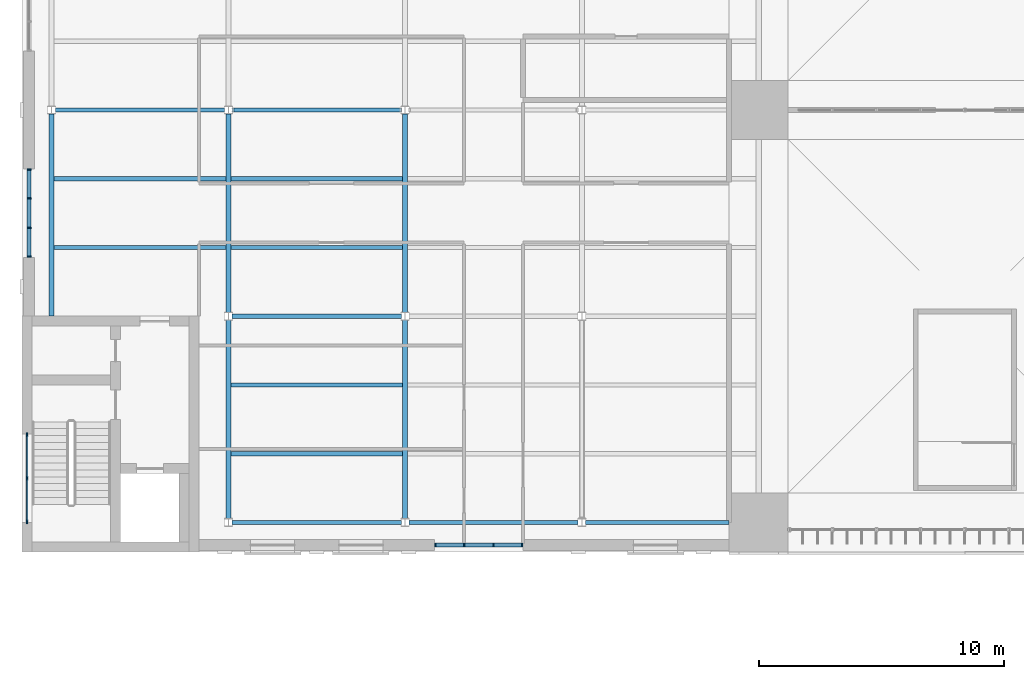
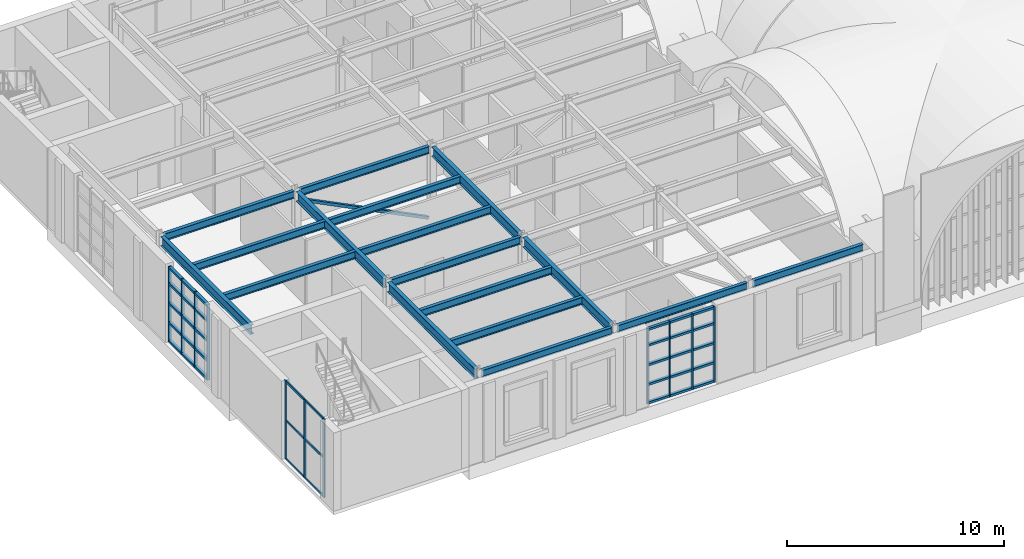
# One storey, part 20 of 169: 48 members, 17 beams, 3 elements without a shape of their own.
"""IFC4 building model written with IfcOpenShell, lengths in metres."""

import ifcopenshell
import ifcopenshell.guid

model = None  # the IFC model being written
_history = None  # IfcOwnerHistory: only IFC2X3 demands one
_inside = {}  # id of a spatial element -> (the spatial element, [elements in it])
_under = {}  # id of a project, library or spatial element -> (it, [spatial elements below it])
_declared = {}  # id of a project -> (the project, [libraries it declares])
_typed = {}  # id of a type object -> (the type object, [elements of that type])
_made_of = {}  # id of a material, layer set ... -> (it, [elements and type objects made of it])


def new_model(schema):
    """Start an empty IFC model of exactly this schema.

    Asked for "IFC4X3", IfcOpenShell would pick the latest addendum, in which some entities
    have other attributes; the version numbers below select the first issue.
    IFC2X3 requires an IfcOwnerHistory on every rooted entity: one is made here for all.
    """
    global model, _history
    if schema == "IFC4X3":
        model = ifcopenshell.file(schema_version=(4, 3, 0, 0))
    else:
        model = ifcopenshell.file(schema=schema)
    _inside.clear()
    _under.clear()
    _declared.clear()
    _typed.clear()
    _made_of.clear()
    _history = None
    if model.schema == "IFC2X3":
        org = make("IfcOrganization", Name="unknown")
        user = make(
            "IfcPersonAndOrganization",
            ThePerson=make("IfcPerson", FamilyName="unknown"),
            TheOrganization=org,
        )
        app = make(
            "IfcApplication",
            ApplicationDeveloper=org,
            Version="unknown",
            ApplicationFullName="unknown",
            ApplicationIdentifier="unknown",
        )
        _history = make(
            "IfcOwnerHistory",
            OwningUser=user,
            OwningApplication=app,
            ChangeAction="ADDED",
            CreationDate=0,
        )
    return model


def make(cls, **values):
    """One entity of the class cls with the attributes given. An attribute that is None is left unset."""
    return model.create_entity(
        cls, **{name: value for name, value in values.items() if value is not None}
    )


def rooted(cls, **values):
    """An entity with a GlobalId (a new one), such as an element, a storey or a relation."""
    return make(cls, GlobalId=ifcopenshell.guid.new(), OwnerHistory=_history, **values)


def si_unit(unit_type, name, prefix=None):
    """IfcSIUnit, for example si_unit("LENGTHUNIT", "METRE", prefix="MILLI")."""
    return make("IfcSIUnit", UnitType=unit_type, Prefix=prefix, Name=name)


def assignment(units):
    """IfcUnitAssignment: the units of a project."""
    return None if units is None else make("IfcUnitAssignment", Units=units)


def point(xyz):
    """IfcCartesianPoint."""
    return None if xyz is None else make("IfcCartesianPoint", Coordinates=xyz)


def direction(xyz):
    """IfcDirection."""
    return None if xyz is None else make("IfcDirection", DirectionRatios=xyz)


def frame(location, z_axis=None, x_axis=None):
    """IfcAxis2Placement3D, a coordinate frame: its origin and axes. An axis left out is left unset."""
    return make(
        "IfcAxis2Placement3D",
        Location=point(location),
        Axis=direction(z_axis),
        RefDirection=direction(x_axis),
    )


def frame_2d(location, x_axis=None):
    """IfcAxis2Placement2D, a coordinate frame in the plane: its origin and x axis."""
    return make(
        "IfcAxis2Placement2D", Location=point(location), RefDirection=direction(x_axis)
    )


def origin():
    """The frame at (0, 0, 0) with its axes left unset."""
    return frame((0.0, 0.0, 0.0))


def origin_2d():
    """The frame at (0, 0) in the plane with its x axis left unset."""
    return frame_2d((0.0, 0.0))


def place(relative_to, where):
    """IfcLocalPlacement: puts the frame where relative to a parent placement (None: the world)."""
    return make(
        "IfcLocalPlacement", PlacementRelTo=relative_to, RelativePlacement=where
    )


def context(
    kind, dimensions, precision=None, world=None, true_north=None, identifier=None
):
    """IfcGeometricRepresentationContext, for example the 3D "Model" context."""
    return make(
        "IfcGeometricRepresentationContext",
        ContextIdentifier=identifier,
        ContextType=kind,
        CoordinateSpaceDimension=dimensions,
        Precision=precision,
        WorldCoordinateSystem=world,
        TrueNorth=true_north,
    )


def subcontext(parent, identifier, kind, view, scale=None):
    """IfcGeometricRepresentationSubContext, for example "Body" below "Model"."""
    return make(
        "IfcGeometricRepresentationSubContext",
        ContextIdentifier=identifier,
        ContextType=kind,
        ParentContext=parent,
        TargetScale=scale,
        TargetView=view,
    )


def project(units=None, contexts=None):
    """IfcProject with its units and contexts."""
    return rooted(
        "IfcProject",
        Name="project",
        RepresentationContexts=contexts,
        UnitsInContext=assignment(units),
    )


def spatial(cls, under=None, at=None, **own):
    """A site, building, storey or space (cls), placed at a placement, below another one or the project."""
    s = rooted(cls, ObjectPlacement=at, **own)
    if under is not None:
        _under.setdefault(under.id(), (under, []))[1].append(s)
    return s


def profile(cls, at=None, kind="AREA", **sizes):
    """A parametric profile (cls). Its sizes go by their IFC names, for example OverallWidth=200.0."""
    return make(cls, ProfileType=kind, Position=at, **sizes)


def rectangle(**sizes):
    """IfcRectangleProfileDef."""
    return profile("IfcRectangleProfileDef", **sizes)


def hollow_rectangle(**sizes):
    """IfcRectangleHollowProfileDef."""
    return profile("IfcRectangleHollowProfileDef", **sizes)


def i_section(**sizes):
    """IfcIShapeProfileDef."""
    return profile("IfcIShapeProfileDef", **sizes)


def extrude(swept, where, along, depth):
    """IfcExtrudedAreaSolid: the profile swept, set in the frame where, extruded along a direction by depth."""
    return make(
        "IfcExtrudedAreaSolid",
        SweptArea=swept,
        Position=where,
        ExtrudedDirection=direction(along),
        Depth=depth,
    )


def shape(context_of_items, identifier, shape_type, items):
    """IfcShapeRepresentation: the items that make up one representation, for example the "Body"."""
    return make(
        "IfcShapeRepresentation",
        ContextOfItems=context_of_items,
        RepresentationIdentifier=identifier,
        RepresentationType=shape_type,
        Items=items,
    )


def material(Name=None, Category=None):
    """IfcMaterial."""
    return make("IfcMaterial", Name=Name, Category=Category)


def layer(
    of_material, thickness, ventilated=None, Name=None, Category=None, Priority=None
):
    """IfcMaterialLayer: one layer of a wall or slab, of a material (None: an air gap)."""
    return make(
        "IfcMaterialLayer",
        Material=of_material,
        LayerThickness=thickness,
        IsVentilated=ventilated,
        Name=Name,
        Category=Category,
        Priority=Priority,
    )


def layer_set(layers, Name=None):
    """IfcMaterialLayerSet."""
    return make("IfcMaterialLayerSet", MaterialLayers=layers, LayerSetName=Name)


def material_profile(
    of_material, cross_section, Name=None, Category=None, Priority=None
):
    """IfcMaterialProfile: a cross section and its material."""
    return make(
        "IfcMaterialProfile",
        Name=Name,
        Material=of_material,
        Profile=cross_section,
        Priority=Priority,
        Category=Category,
    )


def profile_set(profiles, Name=None, composite=None):
    """IfcMaterialProfileSet."""
    return make(
        "IfcMaterialProfileSet",
        Name=Name,
        MaterialProfiles=profiles,
        CompositeProfile=composite,
    )


def made_of(thing, what):
    """Note that an element or type object is made of a material, layer set ...; save() writes the relation."""
    if what is not None:
        _made_of.setdefault(what.id(), (what, []))[1].append(thing)
    return thing


def type_object(cls, material=None, **own):
    """A type object (cls), such as IfcWallType, which elements share."""
    return made_of(rooted(cls, **own), material)


def element(
    cls,
    number,
    at=None,
    inside=None,
    cuts=None,
    type_object=None,
    material=None,
    context=None,
    identifier="Body",
    shape_type=None,
    held_by="IfcProductDefinitionShape",
    body=None,
    shapes=None,
    **own,
):
    """One element of the class cls, such as IfcWall. Its Tag is "e" and its number.

    at: its placement. inside: the storey or other place that contains it. cuts: it is an
    opening in that element (IfcRelVoidsElement). A single representation is given by context,
    identifier, shape_type and body (its items); several are given by shapes. held_by: the class
    of the entity that holds the representations. save() writes the other relations.
    """
    e = rooted(cls, Tag="e%d" % number, ObjectPlacement=at, **own)
    if body is not None:
        shapes = [shape(context, identifier, shape_type, body)]
    if shapes is not None:
        e.Representation = make(held_by, Representations=shapes)
    if inside is not None:
        _inside.setdefault(inside.id(), (inside, []))[1].append(e)
    if cuts is not None:
        rooted(
            "IfcRelVoidsElement", RelatingBuildingElement=cuts, RelatedOpeningElement=e
        )
    if type_object is not None:
        _typed.setdefault(type_object.id(), (type_object, []))[1].append(e)
    return made_of(e, material)


def aggregate(whole, parts):
    """IfcRelAggregates: a whole, such as a stair, and the parts it consists of."""
    return rooted("IfcRelAggregates", RelatingObject=whole, RelatedObjects=parts)


def save(model, path):
    """Write the relations noted so far, then the file.

    IfcRelAggregates (storeys below a building ...), IfcRelContainedInSpatialStructure (elements
    in a storey), IfcRelDefinesByType, IfcRelAssociatesMaterial and IfcRelDeclares: one each for
    every whole, place, type object, material and project.
    """
    for whole, parts in _under.values():
        aggregate(whole, parts)
    for where, things in _inside.values():
        rooted(
            "IfcRelContainedInSpatialStructure",
            RelatedElements=things,
            RelatingStructure=where,
        )
    for kind, things in _typed.values():
        rooted("IfcRelDefinesByType", RelatedObjects=things, RelatingType=kind)
    for what, things in _made_of.values():
        rooted("IfcRelAssociatesMaterial", RelatedObjects=things, RelatingMaterial=what)
    for by, libraries in _declared.values():
        rooted("IfcRelDeclares", RelatingContext=by, RelatedDefinitions=libraries)
    model.write(path)


model = new_model("IFC4")

# Units and contexts
model_context = context("Model", 3, precision=1e-05, world=origin(), true_north=direction((0.0, 1.0)))
body_context = subcontext(model_context, "Body", "Model", "MODEL_VIEW")
ifc_project = project(units=[si_unit("LENGTHUNIT", "METRE"), si_unit("AREAUNIT", "SQUARE_METRE"), si_unit("VOLUMEUNIT", "CUBIC_METRE"), si_unit("PLANEANGLEUNIT", "RADIAN"), si_unit("MASSUNIT", "GRAM", prefix="KILO")], contexts=[model_context])

# Site, building, storey
site_placement = place(None, origin())
site = spatial("IfcSite", under=ifc_project, at=site_placement, CompositionType="ELEMENT")
building_placement = place(site_placement, origin())
building = spatial("IfcBuilding", under=site, at=building_placement, Name="Verrick Yard Athletic Hall", CompositionType="ELEMENT")
storey_placement = place(building_placement, frame((0.0, 0.0, 4.39990234375)))
storey = spatial("IfcBuildingStorey", under=building, at=storey_placement, Name="L01", CompositionType="ELEMENT", Elevation=4.39990234375)

# Curtain wall, members
ifc_material_1 = material(Name="Aluminium 6063-T5", Category="aluminium")
curtain_wall_type_1 = type_object("IfcCurtainWallType", Name="Core glazing strip", PredefinedType="NOTDEFINED", material=ifc_material_1)
curtain_wall_1_placement = place(storey_placement, origin())
curtain_wall_1 = element("IfcCurtainWall", 1, at=curtain_wall_1_placement, inside=storey, type_object=curtain_wall_type_1, Name="CORE-CB1-CW-L01", PredefinedType="NOTDEFINED")
ifc_material_profile_1 = material_profile(ifc_material_1, rectangle(XDim=0.06005859375, YDim=0.159912109375, at=origin_2d()), Name="Core glazing mullion 60x160")
ifc_profile_set_1 = profile_set([ifc_material_profile_1], Name="Aluminium 6063-T5")
member_type_1 = type_object("IfcMemberType", Name="Core glazing mullion 60x160", PredefinedType="MULLION", material=ifc_profile_set_1)
member_1_placement = place(storey_placement, frame((10.199951171875, 19.22998046875, 0.0), z_axis=(0.0, 0.0, 1.0), x_axis=(-1.0, 0.0, 0.0)))
member_1 = element("IfcMember", 2, at=member_1_placement, type_object=member_type_1, Name="CW5 mullion 1", PredefinedType="MULLION", context=body_context, shape_type="SweptSolid", body=[
    extrude(rectangle(XDim=0.06005859375, YDim=0.159912109375, at=origin_2d()), origin(), (0.0, 0.0, 1.0), 4.400146484375),
])
member_2_placement = place(storey_placement, frame((10.199951171875, 21.0, 0.0), z_axis=(0.0, 0.0, 1.0), x_axis=(-1.0, 0.0, 0.0)))
member_2 = element("IfcMember", 3, at=member_2_placement, type_object=member_type_1, Name="CW5 mullion 2", PredefinedType="MULLION", context=body_context, shape_type="SweptSolid", body=[
    extrude(rectangle(XDim=0.06005859375, YDim=0.159912109375, at=origin_2d()), origin(), (0.0, 0.0, 1.0), 4.400146484375),
])
member_3_placement = place(storey_placement, frame((10.199951171875, 22.77001953125, 0.0), z_axis=(0.0, 0.0, 1.0), x_axis=(-1.0, 0.0, 0.0)))
member_3 = element("IfcMember", 4, at=member_3_placement, type_object=member_type_1, Name="CW5 mullion 3", PredefinedType="MULLION", context=body_context, shape_type="SweptSolid", body=[
    extrude(rectangle(XDim=0.06005859375, YDim=0.159912109375, at=origin_2d()), origin(), (0.0, 0.0, 1.0), 4.400146484375),
])
ifc_material_profile_2 = material_profile(ifc_material_1, rectangle(XDim=0.06005859375, YDim=0.1201171875, at=origin_2d()), Name="Core glazing transom 60x120")
ifc_profile_set_2 = profile_set([ifc_material_profile_2], Name="Aluminium 6063-T5")
member_type_2 = type_object("IfcMemberType", Name="Core glazing transom 60x120", PredefinedType="USERDEFINED", material=ifc_profile_set_2)
member_4_placement = place(storey_placement, frame((10.199951171875, 19.260009765625, 0.030029296875), z_axis=(0.0, 1.0, 0.0), x_axis=(-1.0, 0.0, 0.0)))
member_4 = element("IfcMember", 5, at=member_4_placement, type_object=member_type_2, Name="CW5 transom 1.1", ObjectType="TRANSOM", PredefinedType="USERDEFINED", context=body_context, shape_type="SweptSolid", body=[
    extrude(rectangle(XDim=0.06005859375, YDim=0.1201171875, at=origin_2d()), origin(), (0.0, 0.0, 1.0), 1.7099609375),
])
member_5_placement = place(storey_placement, frame((10.199951171875, 19.260009765625, 2.2001953125), z_axis=(0.0, 1.0, 0.0), x_axis=(-1.0, 0.0, 0.0)))
member_5 = element("IfcMember", 6, at=member_5_placement, type_object=member_type_2, Name="CW5 transom 1.2", ObjectType="TRANSOM", PredefinedType="USERDEFINED", context=body_context, shape_type="SweptSolid", body=[
    extrude(rectangle(XDim=0.06005859375, YDim=0.1201171875, at=origin_2d()), origin(), (0.0, 0.0, 1.0), 1.7099609375),
])
member_6_placement = place(storey_placement, frame((10.199951171875, 19.260009765625, 4.3701171875), z_axis=(0.0, 1.0, 0.0), x_axis=(-1.0, 0.0, 0.0)))
member_6 = element("IfcMember", 7, at=member_6_placement, type_object=member_type_2, Name="CW5 transom 1.3", ObjectType="TRANSOM", PredefinedType="USERDEFINED", context=body_context, shape_type="SweptSolid", body=[
    extrude(rectangle(XDim=0.06005859375, YDim=0.1201171875, at=origin_2d()), origin(), (0.0, 0.0, 1.0), 1.7099609375),
])
member_7_placement = place(storey_placement, frame((10.199951171875, 21.030029296875, 0.030029296875), z_axis=(0.0, 1.0, 0.0), x_axis=(-1.0, 0.0, 0.0)))
member_7 = element("IfcMember", 8, at=member_7_placement, type_object=member_type_2, Name="CW5 transom 2.1", ObjectType="TRANSOM", PredefinedType="USERDEFINED", context=body_context, shape_type="SweptSolid", body=[
    extrude(rectangle(XDim=0.06005859375, YDim=0.1201171875, at=origin_2d()), origin(), (0.0, 0.0, 1.0), 1.7099609375),
])
member_8_placement = place(storey_placement, frame((10.199951171875, 21.030029296875, 2.2001953125), z_axis=(0.0, 1.0, 0.0), x_axis=(-1.0, 0.0, 0.0)))
member_8 = element("IfcMember", 9, at=member_8_placement, type_object=member_type_2, Name="CW5 transom 2.2", ObjectType="TRANSOM", PredefinedType="USERDEFINED", context=body_context, shape_type="SweptSolid", body=[
    extrude(rectangle(XDim=0.06005859375, YDim=0.1201171875, at=origin_2d()), origin(), (0.0, 0.0, 1.0), 1.7099609375),
])
member_9_placement = place(storey_placement, frame((10.199951171875, 21.030029296875, 4.3701171875), z_axis=(0.0, 1.0, 0.0), x_axis=(-1.0, 0.0, 0.0)))
member_9 = element("IfcMember", 10, at=member_9_placement, type_object=member_type_2, Name="CW5 transom 2.3", ObjectType="TRANSOM", PredefinedType="USERDEFINED", context=body_context, shape_type="SweptSolid", body=[
    extrude(rectangle(XDim=0.06005859375, YDim=0.1201171875, at=origin_2d()), origin(), (0.0, 0.0, 1.0), 1.7099609375),
])
aggregate(curtain_wall_1, [member_1, member_2, member_3, member_4, member_5, member_6, member_7, member_8, member_9])

ifc_material_2 = material(Name="Anodised aluminium", Category="aluminium")
ifc_layer = layer(ifc_material_2, 0.199951171875)
ifc_layer_set = layer_set([ifc_layer], Name="Front glazing")
curtain_wall_type_2 = type_object("IfcCurtainWallType", Name="Front glazing", PredefinedType="NOTDEFINED", material=ifc_layer_set)
curtain_wall_2_placement = place(storey_placement, origin())
curtain_wall_2 = element("IfcCurtainWall", 11, at=curtain_wall_2_placement, inside=storey, type_object=curtain_wall_type_2, Name="ENVB-WS-L01-CW268", PredefinedType="NOTDEFINED")
ifc_material_profile_3 = material_profile(ifc_material_2, rectangle(XDim=0.159912109375, YDim=0.06005859375, at=origin_2d()), Name="CW mullion 60x160")
ifc_profile_set_3 = profile_set([ifc_material_profile_3], Name="Anodised aluminium")
member_type_3 = type_object("IfcMemberType", Name="Front glazing mullion 60x160", PredefinedType="MULLION", material=ifc_profile_set_3)
member_10_placement = place(storey_placement, frame((26.830078125, 18.28125, 0.0), z_axis=(0.0, 0.0, 1.0), x_axis=(0.0, 1.0, 0.0)))
member_10 = element("IfcMember", 12, at=member_10_placement, type_object=member_type_3, Name="ENVB-WS-L01-CW268/M00", PredefinedType="MULLION", context=body_context, shape_type="SweptSolid", body=[
    extrude(rectangle(XDim=0.159912109375, YDim=0.06005859375, at=origin_2d()), origin(), (0.0, 0.0, 1.0), 4.25),
])
member_11_placement = place(storey_placement, frame((28.0, 18.28125, 0.0), z_axis=(0.0, 0.0, 1.0), x_axis=(0.0, 1.0, 0.0)))
member_11 = element("IfcMember", 13, at=member_11_placement, type_object=member_type_3, Name="ENVB-WS-L01-CW268/M01", PredefinedType="MULLION", context=body_context, shape_type="SweptSolid", body=[
    extrude(rectangle(XDim=0.159912109375, YDim=0.06005859375, at=origin_2d()), origin(), (0.0, 0.0, 1.0), 4.25),
])
member_12_placement = place(storey_placement, frame((29.199951171875, 18.28125, 0.0), z_axis=(0.0, 0.0, 1.0), x_axis=(0.0, 1.0, 0.0)))
member_12 = element("IfcMember", 14, at=member_12_placement, type_object=member_type_3, Name="ENVB-WS-L01-CW268/M02", PredefinedType="MULLION", context=body_context, shape_type="SweptSolid", body=[
    extrude(rectangle(XDim=0.159912109375, YDim=0.06005859375, at=origin_2d()), origin(), (0.0, 0.0, 1.0), 4.25),
])
member_13_placement = place(storey_placement, frame((30.3701171875, 18.28125, 0.0), z_axis=(0.0, 0.0, 1.0), x_axis=(0.0, 1.0, 0.0)))
member_13 = element("IfcMember", 15, at=member_13_placement, type_object=member_type_3, Name="ENVB-WS-L01-CW268/M03", PredefinedType="MULLION", context=body_context, shape_type="SweptSolid", body=[
    extrude(rectangle(XDim=0.159912109375, YDim=0.06005859375, at=origin_2d()), origin(), (0.0, 0.0, 1.0), 4.25),
])

curtain_wall_3_placement = place(storey_placement, origin())
curtain_wall_3 = element("IfcCurtainWall", 16, at=curtain_wall_3_placement, inside=storey, type_object=curtain_wall_type_2, Name="ENVB-WW-L01-CW300", PredefinedType="NOTDEFINED")
member_14_placement = place(storey_placement, frame((10.28125, 30.030029296875, 0.0), z_axis=(0.0, 0.0, 1.0), x_axis=(-1.0, 0.0, 0.0)))
member_14 = element("IfcMember", 17, at=member_14_placement, type_object=member_type_3, Name="ENVB-WW-L01-CW300/M00", PredefinedType="MULLION", context=body_context, shape_type="SweptSolid", body=[
    extrude(rectangle(XDim=0.159912109375, YDim=0.06005859375, at=origin_2d()), origin(), (0.0, 0.0, 1.0), 4.25),
])
member_15_placement = place(storey_placement, frame((10.28125, 31.199951171875, 0.0), z_axis=(0.0, 0.0, 1.0), x_axis=(-1.0, 0.0, 0.0)))
member_15 = element("IfcMember", 18, at=member_15_placement, type_object=member_type_3, Name="ENVB-WW-L01-CW300/M01", PredefinedType="MULLION", context=body_context, shape_type="SweptSolid", body=[
    extrude(rectangle(XDim=0.159912109375, YDim=0.06005859375, at=origin_2d()), origin(), (0.0, 0.0, 1.0), 4.25),
])
member_16_placement = place(storey_placement, frame((10.28125, 32.39990234375, 0.0), z_axis=(0.0, 0.0, 1.0), x_axis=(-1.0, 0.0, 0.0)))
member_16 = element("IfcMember", 19, at=member_16_placement, type_object=member_type_3, Name="ENVB-WW-L01-CW300/M02", PredefinedType="MULLION", context=body_context, shape_type="SweptSolid", body=[
    extrude(rectangle(XDim=0.159912109375, YDim=0.06005859375, at=origin_2d()), origin(), (0.0, 0.0, 1.0), 4.25),
])
member_17_placement = place(storey_placement, frame((10.28125, 33.570068359375, 0.0), z_axis=(0.0, 0.0, 1.0), x_axis=(-1.0, 0.0, 0.0)))
member_17 = element("IfcMember", 20, at=member_17_placement, type_object=member_type_3, Name="ENVB-WW-L01-CW300/M03", PredefinedType="MULLION", context=body_context, shape_type="SweptSolid", body=[
    extrude(rectangle(XDim=0.159912109375, YDim=0.06005859375, at=origin_2d()), origin(), (0.0, 0.0, 1.0), 4.25),
])

# Member
ifc_material_profile_4 = material_profile(ifc_material_2, rectangle(XDim=0.159912109375, YDim=0.1201171875, at=origin_2d()), Name="CW transom 160x120")
ifc_profile_set_4 = profile_set([ifc_material_profile_4], Name="Anodised aluminium")
member_type_4 = type_object("IfcMemberType", Name="Front glazing transom 160x120", PredefinedType="USERDEFINED", material=ifc_profile_set_4)
member_18_placement = place(storey_placement, frame((26.860107421875, 18.28125, 0.06005859375), z_axis=(1.0, 0.0, 0.0), x_axis=(0.0, 1.0, 0.0)))
member_18 = element("IfcMember", 21, at=member_18_placement, type_object=member_type_4, Name="ENVB-WS-L01-CW268/T00-00", ObjectType="TRANSOM", PredefinedType="USERDEFINED", context=body_context, shape_type="SweptSolid", body=[
    extrude(rectangle(XDim=0.159912109375, YDim=0.1201171875, at=origin_2d()), origin(), (0.0, 0.0, 1.0), 1.10986328125),
])

member_19_placement = place(storey_placement, frame((26.860107421875, 18.28125, 1.10009765625), z_axis=(1.0, 0.0, 0.0), x_axis=(0.0, 1.0, 0.0)))
member_19 = element("IfcMember", 22, at=member_19_placement, type_object=member_type_4, Name="ENVB-WS-L01-CW268/T00-01", ObjectType="TRANSOM", PredefinedType="USERDEFINED", context=body_context, shape_type="SweptSolid", body=[
    extrude(rectangle(XDim=0.159912109375, YDim=0.1201171875, at=origin_2d()), origin(), (0.0, 0.0, 1.0), 1.10986328125),
])

member_20_placement = place(storey_placement, frame((26.860107421875, 18.28125, 2.2001953125), z_axis=(1.0, 0.0, 0.0), x_axis=(0.0, 1.0, 0.0)))
member_20 = element("IfcMember", 23, at=member_20_placement, type_object=member_type_4, Name="ENVB-WS-L01-CW268/T00-02", ObjectType="TRANSOM", PredefinedType="USERDEFINED", context=body_context, shape_type="SweptSolid", body=[
    extrude(rectangle(XDim=0.159912109375, YDim=0.1201171875, at=origin_2d()), origin(), (0.0, 0.0, 1.0), 1.10986328125),
])

member_21_placement = place(storey_placement, frame((26.860107421875, 18.28125, 3.300048828125), z_axis=(1.0, 0.0, 0.0), x_axis=(0.0, 1.0, 0.0)))
member_21 = element("IfcMember", 24, at=member_21_placement, type_object=member_type_4, Name="ENVB-WS-L01-CW268/T00-03", ObjectType="TRANSOM", PredefinedType="USERDEFINED", context=body_context, shape_type="SweptSolid", body=[
    extrude(rectangle(XDim=0.159912109375, YDim=0.1201171875, at=origin_2d()), origin(), (0.0, 0.0, 1.0), 1.10986328125),
])

member_22_placement = place(storey_placement, frame((26.860107421875, 18.28125, 4.190185546875), z_axis=(1.0, 0.0, 0.0), x_axis=(0.0, 1.0, 0.0)))
member_22 = element("IfcMember", 25, at=member_22_placement, type_object=member_type_4, Name="ENVB-WS-L01-CW268/T00-04", ObjectType="TRANSOM", PredefinedType="USERDEFINED", context=body_context, shape_type="SweptSolid", body=[
    extrude(rectangle(XDim=0.159912109375, YDim=0.1201171875, at=origin_2d()), origin(), (0.0, 0.0, 1.0), 1.10986328125),
])

member_23_placement = place(storey_placement, frame((28.030029296875, 18.28125, 0.06005859375), z_axis=(1.0, 0.0, 0.0), x_axis=(0.0, 1.0, 0.0)))
member_23 = element("IfcMember", 26, at=member_23_placement, type_object=member_type_4, Name="ENVB-WS-L01-CW268/T01-00", ObjectType="TRANSOM", PredefinedType="USERDEFINED", context=body_context, shape_type="SweptSolid", body=[
    extrude(rectangle(XDim=0.159912109375, YDim=0.1201171875, at=origin_2d()), origin(), (0.0, 0.0, 1.0), 1.139892578125),
])

member_24_placement = place(storey_placement, frame((28.030029296875, 18.28125, 1.10009765625), z_axis=(1.0, 0.0, 0.0), x_axis=(0.0, 1.0, 0.0)))
member_24 = element("IfcMember", 27, at=member_24_placement, type_object=member_type_4, Name="ENVB-WS-L01-CW268/T01-01", ObjectType="TRANSOM", PredefinedType="USERDEFINED", context=body_context, shape_type="SweptSolid", body=[
    extrude(rectangle(XDim=0.159912109375, YDim=0.1201171875, at=origin_2d()), origin(), (0.0, 0.0, 1.0), 1.139892578125),
])

member_25_placement = place(storey_placement, frame((28.030029296875, 18.28125, 2.2001953125), z_axis=(1.0, 0.0, 0.0), x_axis=(0.0, 1.0, 0.0)))
member_25 = element("IfcMember", 28, at=member_25_placement, type_object=member_type_4, Name="ENVB-WS-L01-CW268/T01-02", ObjectType="TRANSOM", PredefinedType="USERDEFINED", context=body_context, shape_type="SweptSolid", body=[
    extrude(rectangle(XDim=0.159912109375, YDim=0.1201171875, at=origin_2d()), origin(), (0.0, 0.0, 1.0), 1.139892578125),
])

member_26_placement = place(storey_placement, frame((28.030029296875, 18.28125, 3.300048828125), z_axis=(1.0, 0.0, 0.0), x_axis=(0.0, 1.0, 0.0)))
member_26 = element("IfcMember", 29, at=member_26_placement, type_object=member_type_4, Name="ENVB-WS-L01-CW268/T01-03", ObjectType="TRANSOM", PredefinedType="USERDEFINED", context=body_context, shape_type="SweptSolid", body=[
    extrude(rectangle(XDim=0.159912109375, YDim=0.1201171875, at=origin_2d()), origin(), (0.0, 0.0, 1.0), 1.139892578125),
])

member_27_placement = place(storey_placement, frame((28.030029296875, 18.28125, 4.190185546875), z_axis=(1.0, 0.0, 0.0), x_axis=(0.0, 1.0, 0.0)))
member_27 = element("IfcMember", 30, at=member_27_placement, type_object=member_type_4, Name="ENVB-WS-L01-CW268/T01-04", ObjectType="TRANSOM", PredefinedType="USERDEFINED", context=body_context, shape_type="SweptSolid", body=[
    extrude(rectangle(XDim=0.159912109375, YDim=0.1201171875, at=origin_2d()), origin(), (0.0, 0.0, 1.0), 1.139892578125),
])

member_28_placement = place(storey_placement, frame((29.22998046875, 18.28125, 0.06005859375), z_axis=(1.0, 0.0, 0.0), x_axis=(0.0, 1.0, 0.0)))
member_28 = element("IfcMember", 31, at=member_28_placement, type_object=member_type_4, Name="ENVB-WS-L01-CW268/T02-00", ObjectType="TRANSOM", PredefinedType="USERDEFINED", context=body_context, shape_type="SweptSolid", body=[
    extrude(rectangle(XDim=0.159912109375, YDim=0.1201171875, at=origin_2d()), origin(), (0.0, 0.0, 1.0), 1.110107421875),
])

member_29_placement = place(storey_placement, frame((29.22998046875, 18.28125, 1.10009765625), z_axis=(1.0, 0.0, 0.0), x_axis=(0.0, 1.0, 0.0)))
member_29 = element("IfcMember", 32, at=member_29_placement, type_object=member_type_4, Name="ENVB-WS-L01-CW268/T02-01", ObjectType="TRANSOM", PredefinedType="USERDEFINED", context=body_context, shape_type="SweptSolid", body=[
    extrude(rectangle(XDim=0.159912109375, YDim=0.1201171875, at=origin_2d()), origin(), (0.0, 0.0, 1.0), 1.110107421875),
])

member_30_placement = place(storey_placement, frame((29.22998046875, 18.28125, 2.2001953125), z_axis=(1.0, 0.0, 0.0), x_axis=(0.0, 1.0, 0.0)))
member_30 = element("IfcMember", 33, at=member_30_placement, type_object=member_type_4, Name="ENVB-WS-L01-CW268/T02-02", ObjectType="TRANSOM", PredefinedType="USERDEFINED", context=body_context, shape_type="SweptSolid", body=[
    extrude(rectangle(XDim=0.159912109375, YDim=0.1201171875, at=origin_2d()), origin(), (0.0, 0.0, 1.0), 1.110107421875),
])

member_31_placement = place(storey_placement, frame((29.22998046875, 18.28125, 3.300048828125), z_axis=(1.0, 0.0, 0.0), x_axis=(0.0, 1.0, 0.0)))
member_31 = element("IfcMember", 34, at=member_31_placement, type_object=member_type_4, Name="ENVB-WS-L01-CW268/T02-03", ObjectType="TRANSOM", PredefinedType="USERDEFINED", context=body_context, shape_type="SweptSolid", body=[
    extrude(rectangle(XDim=0.159912109375, YDim=0.1201171875, at=origin_2d()), origin(), (0.0, 0.0, 1.0), 1.110107421875),
])

member_32_placement = place(storey_placement, frame((29.22998046875, 18.28125, 4.190185546875), z_axis=(1.0, 0.0, 0.0), x_axis=(0.0, 1.0, 0.0)))
member_32 = element("IfcMember", 35, at=member_32_placement, type_object=member_type_4, Name="ENVB-WS-L01-CW268/T02-04", ObjectType="TRANSOM", PredefinedType="USERDEFINED", context=body_context, shape_type="SweptSolid", body=[
    extrude(rectangle(XDim=0.159912109375, YDim=0.1201171875, at=origin_2d()), origin(), (0.0, 0.0, 1.0), 1.110107421875),
])

aggregate(curtain_wall_2, [member_10, member_11, member_12, member_13, member_18, member_19, member_20, member_21, member_22, member_23, member_24, member_25, member_26, member_27, member_28, member_29, member_30, member_31, member_32])

member_33_placement = place(storey_placement, frame((10.28125, 30.06005859375, 0.06005859375), z_axis=(0.0, 1.0, 0.0), x_axis=(-1.0, 0.0, 0.0)))
member_33 = element("IfcMember", 36, at=member_33_placement, type_object=member_type_4, Name="ENVB-WW-L01-CW300/T00-00", ObjectType="TRANSOM", PredefinedType="USERDEFINED", context=body_context, shape_type="SweptSolid", body=[
    extrude(rectangle(XDim=0.159912109375, YDim=0.1201171875, at=origin_2d()), origin(), (0.0, 0.0, 1.0), 1.10986328125),
])

member_34_placement = place(storey_placement, frame((10.28125, 30.06005859375, 1.10009765625), z_axis=(0.0, 1.0, 0.0), x_axis=(-1.0, 0.0, 0.0)))
member_34 = element("IfcMember", 37, at=member_34_placement, type_object=member_type_4, Name="ENVB-WW-L01-CW300/T00-01", ObjectType="TRANSOM", PredefinedType="USERDEFINED", context=body_context, shape_type="SweptSolid", body=[
    extrude(rectangle(XDim=0.159912109375, YDim=0.1201171875, at=origin_2d()), origin(), (0.0, 0.0, 1.0), 1.10986328125),
])

member_35_placement = place(storey_placement, frame((10.28125, 30.06005859375, 2.2001953125), z_axis=(0.0, 1.0, 0.0), x_axis=(-1.0, 0.0, 0.0)))
member_35 = element("IfcMember", 38, at=member_35_placement, type_object=member_type_4, Name="ENVB-WW-L01-CW300/T00-02", ObjectType="TRANSOM", PredefinedType="USERDEFINED", context=body_context, shape_type="SweptSolid", body=[
    extrude(rectangle(XDim=0.159912109375, YDim=0.1201171875, at=origin_2d()), origin(), (0.0, 0.0, 1.0), 1.10986328125),
])

member_36_placement = place(storey_placement, frame((10.28125, 30.06005859375, 3.300048828125), z_axis=(0.0, 1.0, 0.0), x_axis=(-1.0, 0.0, 0.0)))
member_36 = element("IfcMember", 39, at=member_36_placement, type_object=member_type_4, Name="ENVB-WW-L01-CW300/T00-03", ObjectType="TRANSOM", PredefinedType="USERDEFINED", context=body_context, shape_type="SweptSolid", body=[
    extrude(rectangle(XDim=0.159912109375, YDim=0.1201171875, at=origin_2d()), origin(), (0.0, 0.0, 1.0), 1.10986328125),
])

member_37_placement = place(storey_placement, frame((10.28125, 30.06005859375, 4.190185546875), z_axis=(0.0, 1.0, 0.0), x_axis=(-1.0, 0.0, 0.0)))
member_37 = element("IfcMember", 40, at=member_37_placement, type_object=member_type_4, Name="ENVB-WW-L01-CW300/T00-04", ObjectType="TRANSOM", PredefinedType="USERDEFINED", context=body_context, shape_type="SweptSolid", body=[
    extrude(rectangle(XDim=0.159912109375, YDim=0.1201171875, at=origin_2d()), origin(), (0.0, 0.0, 1.0), 1.10986328125),
])

member_38_placement = place(storey_placement, frame((10.28125, 31.22998046875, 0.06005859375), z_axis=(0.0, 1.0, 0.0), x_axis=(-1.0, 0.0, 0.0)))
member_38 = element("IfcMember", 41, at=member_38_placement, type_object=member_type_4, Name="ENVB-WW-L01-CW300/T01-00", ObjectType="TRANSOM", PredefinedType="USERDEFINED", context=body_context, shape_type="SweptSolid", body=[
    extrude(rectangle(XDim=0.159912109375, YDim=0.1201171875, at=origin_2d()), origin(), (0.0, 0.0, 1.0), 1.14013671875),
])

member_39_placement = place(storey_placement, frame((10.28125, 31.22998046875, 1.10009765625), z_axis=(0.0, 1.0, 0.0), x_axis=(-1.0, 0.0, 0.0)))
member_39 = element("IfcMember", 42, at=member_39_placement, type_object=member_type_4, Name="ENVB-WW-L01-CW300/T01-01", ObjectType="TRANSOM", PredefinedType="USERDEFINED", context=body_context, shape_type="SweptSolid", body=[
    extrude(rectangle(XDim=0.159912109375, YDim=0.1201171875, at=origin_2d()), origin(), (0.0, 0.0, 1.0), 1.14013671875),
])

member_40_placement = place(storey_placement, frame((10.28125, 31.22998046875, 2.2001953125), z_axis=(0.0, 1.0, 0.0), x_axis=(-1.0, 0.0, 0.0)))
member_40 = element("IfcMember", 43, at=member_40_placement, type_object=member_type_4, Name="ENVB-WW-L01-CW300/T01-02", ObjectType="TRANSOM", PredefinedType="USERDEFINED", context=body_context, shape_type="SweptSolid", body=[
    extrude(rectangle(XDim=0.159912109375, YDim=0.1201171875, at=origin_2d()), origin(), (0.0, 0.0, 1.0), 1.14013671875),
])

member_41_placement = place(storey_placement, frame((10.28125, 31.22998046875, 3.300048828125), z_axis=(0.0, 1.0, 0.0), x_axis=(-1.0, 0.0, 0.0)))
member_41 = element("IfcMember", 44, at=member_41_placement, type_object=member_type_4, Name="ENVB-WW-L01-CW300/T01-03", ObjectType="TRANSOM", PredefinedType="USERDEFINED", context=body_context, shape_type="SweptSolid", body=[
    extrude(rectangle(XDim=0.159912109375, YDim=0.1201171875, at=origin_2d()), origin(), (0.0, 0.0, 1.0), 1.14013671875),
])

member_42_placement = place(storey_placement, frame((10.28125, 31.22998046875, 4.190185546875), z_axis=(0.0, 1.0, 0.0), x_axis=(-1.0, 0.0, 0.0)))
member_42 = element("IfcMember", 45, at=member_42_placement, type_object=member_type_4, Name="ENVB-WW-L01-CW300/T01-04", ObjectType="TRANSOM", PredefinedType="USERDEFINED", context=body_context, shape_type="SweptSolid", body=[
    extrude(rectangle(XDim=0.159912109375, YDim=0.1201171875, at=origin_2d()), origin(), (0.0, 0.0, 1.0), 1.14013671875),
])

member_43_placement = place(storey_placement, frame((10.28125, 32.429931640625, 0.06005859375), z_axis=(0.0, 1.0, 0.0), x_axis=(-1.0, 0.0, 0.0)))
member_43 = element("IfcMember", 46, at=member_43_placement, type_object=member_type_4, Name="ENVB-WW-L01-CW300/T02-00", ObjectType="TRANSOM", PredefinedType="USERDEFINED", context=body_context, shape_type="SweptSolid", body=[
    extrude(rectangle(XDim=0.159912109375, YDim=0.1201171875, at=origin_2d()), origin(), (0.0, 0.0, 1.0), 1.110107421875),
])

member_44_placement = place(storey_placement, frame((10.28125, 32.429931640625, 1.10009765625), z_axis=(0.0, 1.0, 0.0), x_axis=(-1.0, 0.0, 0.0)))
member_44 = element("IfcMember", 47, at=member_44_placement, type_object=member_type_4, Name="ENVB-WW-L01-CW300/T02-01", ObjectType="TRANSOM", PredefinedType="USERDEFINED", context=body_context, shape_type="SweptSolid", body=[
    extrude(rectangle(XDim=0.159912109375, YDim=0.1201171875, at=origin_2d()), origin(), (0.0, 0.0, 1.0), 1.110107421875),
])

member_45_placement = place(storey_placement, frame((10.28125, 32.429931640625, 2.2001953125), z_axis=(0.0, 1.0, 0.0), x_axis=(-1.0, 0.0, 0.0)))
member_45 = element("IfcMember", 48, at=member_45_placement, type_object=member_type_4, Name="ENVB-WW-L01-CW300/T02-02", ObjectType="TRANSOM", PredefinedType="USERDEFINED", context=body_context, shape_type="SweptSolid", body=[
    extrude(rectangle(XDim=0.159912109375, YDim=0.1201171875, at=origin_2d()), origin(), (0.0, 0.0, 1.0), 1.110107421875),
])

member_46_placement = place(storey_placement, frame((10.28125, 32.429931640625, 3.300048828125), z_axis=(0.0, 1.0, 0.0), x_axis=(-1.0, 0.0, 0.0)))
member_46 = element("IfcMember", 49, at=member_46_placement, type_object=member_type_4, Name="ENVB-WW-L01-CW300/T02-03", ObjectType="TRANSOM", PredefinedType="USERDEFINED", context=body_context, shape_type="SweptSolid", body=[
    extrude(rectangle(XDim=0.159912109375, YDim=0.1201171875, at=origin_2d()), origin(), (0.0, 0.0, 1.0), 1.110107421875),
])

member_47_placement = place(storey_placement, frame((10.28125, 32.429931640625, 4.190185546875), z_axis=(0.0, 1.0, 0.0), x_axis=(-1.0, 0.0, 0.0)))
member_47 = element("IfcMember", 50, at=member_47_placement, type_object=member_type_4, Name="ENVB-WW-L01-CW300/T02-04", ObjectType="TRANSOM", PredefinedType="USERDEFINED", context=body_context, shape_type="SweptSolid", body=[
    extrude(rectangle(XDim=0.159912109375, YDim=0.1201171875, at=origin_2d()), origin(), (0.0, 0.0, 1.0), 1.110107421875),
])

aggregate(curtain_wall_3, [member_14, member_15, member_16, member_17, member_33, member_34, member_35, member_36, member_37, member_38, member_39, member_40, member_41, member_42, member_43, member_44, member_45, member_46, member_47])

ifc_material_3 = material(Name="Structural steel HSS Class C 350W (CSA G40.20/G40.21)", Category="steel")
ifc_material_profile_5 = material_profile(ifc_material_3, hollow_rectangle(XDim=0.15234375, YDim=0.15234375, WallThickness=0.009521484375, at=origin_2d()), Name="HSS152x152x9.5")
ifc_profile_set_5 = profile_set([ifc_material_profile_5], Name="Structural steel HSS Class C 350W (CSA G40.20/G40.21)")
member_type_5 = type_object("IfcMemberType", Name="STR Wing brace HSS152x152x9.5", PredefinedType="BRACE", material=ifc_profile_set_5)
member_48_placement = place(storey_placement, frame((18.587646484375, 36.0, 3.62646484375), z_axis=(0.894555158248, 0.0, -0.446957569409), x_axis=(0.0, 1.0, 0.0)))
element("IfcMember", 51, at=member_48_placement, inside=storey, type_object=member_type_5, Name="STR-BR-W1-L01", PredefinedType="BRACE", context=body_context, shape_type="SweptSolid", body=[
    extrude(hollow_rectangle(XDim=0.15234375, YDim=0.15234375, WallThickness=0.009521484375, at=origin_2d()), origin(), (0.0, 0.0, 1.0), 7.629150390625),
])

# Beams
ifc_material_4 = material(Name="Structural steel 350W (CSA G40.21)", Category="steel")
ifc_material_profile_6 = material_profile(ifc_material_4, i_section(OverallWidth=0.177978515625, OverallDepth=0.406982421875, WebThickness=0.0078125, FlangeThickness=0.0126953125, at=origin_2d()), Name="W410x60")
ifc_profile_set_6 = profile_set([ifc_material_profile_6], Name="Structural steel 350W (CSA G40.21)")
beam_type_1 = type_object("IfcBeamType", Name="STR Wing floor beam W410x60", PredefinedType="BEAM", material=ifc_profile_set_6)
for number, where, z_axis, x_axis, name in (
    (52, (18.554443359375, 19.199951171875, 4.046630859375), (1.0, 0.0, 0.0), (0.0, 1.0, 0.0), "STR-B-W88-19.2-1"),
    (53, (25.75439453125, 19.199951171875, 4.046630859375), (1.0, 0.0, 0.0), (0.0, 1.0, 0.0), "STR-B-W88-19.2-2"),
):
    element("IfcBeam", number, at=place(storey_placement, frame(where, z_axis=z_axis, x_axis=x_axis)), inside=storey, type_object=beam_type_1, Name=name, PredefinedType="BEAM", context=body_context, shape_type="SweptSolid", body=[
        extrude(i_section(OverallWidth=0.177978515625, OverallDepth=0.406982421875, WebThickness=0.0078125, FlangeThickness=0.0126953125, at=origin_2d()), origin(), (0.0, 0.0, 1.0), 6.89111328125),
    ])
beam_1_placement = place(storey_placement, frame((32.95458984375, 19.199951171875, 4.046630859375), z_axis=(1.0, 0.0, 0.0), x_axis=(0.0, 1.0, 0.0)))
element("IfcBeam", 54, at=beam_1_placement, inside=storey, type_object=beam_type_1, Name="STR-B-W88-19.2-3", PredefinedType="BEAM", context=body_context, shape_type="SweptSolid", body=[
    extrude(i_section(OverallWidth=0.177978515625, OverallDepth=0.406982421875, WebThickness=0.0078125, FlangeThickness=0.0126953125, at=origin_2d()), origin(), (0.0, 0.0, 1.0), 5.845458984375),
])
for number, where, z_axis, x_axis, name in (
    (55, (18.554443359375, 27.60009765625, 4.046630859375), (1.0, 0.0, 0.0), (0.0, 1.0, 0.0), "STR-B-W88-27.6-1"),
    (56, (11.3544921875, 36.0, 4.046630859375), (1.0, 0.0, 0.0), (0.0, 1.0, 0.0), "STR-B-W88-36-1"),
    (57, (18.554443359375, 36.0, 4.046630859375), (1.0, 0.0, 0.0), (0.0, 1.0, 0.0), "STR-B-W88-36-2"),
):
    element("IfcBeam", number, at=place(storey_placement, frame(where, z_axis=z_axis, x_axis=x_axis)), inside=storey, type_object=beam_type_1, Name=name, PredefinedType="BEAM", context=body_context, shape_type="SweptSolid", body=[
        extrude(i_section(OverallWidth=0.177978515625, OverallDepth=0.406982421875, WebThickness=0.0078125, FlangeThickness=0.0126953125, at=origin_2d()), origin(), (0.0, 0.0, 1.0), 6.89111328125),
    ])
for number, where, z_axis, x_axis, name in (
    (58, (18.50439453125, 22.0, 4.046630859375), (1.0, 0.0, 0.0), (0.0, 1.0, 0.0), "STR-B-W88-22-1"),
    (59, (18.50439453125, 24.800048828125, 4.046630859375), (1.0, 0.0, 0.0), (0.0, 1.0, 0.0), "STR-B-W88-24.8-1"),
):
    element("IfcBeam", number, at=place(storey_placement, frame(where, z_axis=z_axis, x_axis=x_axis)), inside=storey, type_object=beam_type_1, Name=name, PredefinedType="BEAM", context=body_context, shape_type="SweptSolid", body=[
        extrude(i_section(OverallWidth=0.177978515625, OverallDepth=0.406982421875, WebThickness=0.0078125, FlangeThickness=0.0126953125, at=origin_2d()), origin(), (0.0, 0.0, 1.0), 6.9912109375),
    ])
beam_2_placement = place(storey_placement, frame((11.304443359375, 30.39990234375, 4.046630859375), z_axis=(1.0, 0.0, 0.0), x_axis=(0.0, 1.0, 0.0)))
element("IfcBeam", 60, at=beam_2_placement, inside=storey, type_object=beam_type_1, Name="STR-B-W88-30.4-1", PredefinedType="BEAM", context=body_context, shape_type="SweptSolid", body=[
    extrude(i_section(OverallWidth=0.177978515625, OverallDepth=0.406982421875, WebThickness=0.0078125, FlangeThickness=0.0126953125, at=origin_2d()), origin(), (0.0, 0.0, 1.0), 6.990966796875),
])
beam_3_placement = place(storey_placement, frame((18.50439453125, 30.39990234375, 4.046630859375), z_axis=(1.0, 0.0, 0.0), x_axis=(0.0, 1.0, 0.0)))
element("IfcBeam", 61, at=beam_3_placement, inside=storey, type_object=beam_type_1, Name="STR-B-W88-30.4-2", PredefinedType="BEAM", context=body_context, shape_type="SweptSolid", body=[
    extrude(i_section(OverallWidth=0.177978515625, OverallDepth=0.406982421875, WebThickness=0.0078125, FlangeThickness=0.0126953125, at=origin_2d()), origin(), (0.0, 0.0, 1.0), 6.9912109375),
])
beam_4_placement = place(storey_placement, frame((11.304443359375, 33.199951171875, 4.046630859375), z_axis=(1.0, 0.0, 0.0), x_axis=(0.0, 1.0, 0.0)))
element("IfcBeam", 62, at=beam_4_placement, inside=storey, type_object=beam_type_1, Name="STR-B-W88-33.2-1", PredefinedType="BEAM", context=body_context, shape_type="SweptSolid", body=[
    extrude(i_section(OverallWidth=0.177978515625, OverallDepth=0.406982421875, WebThickness=0.0078125, FlangeThickness=0.0126953125, at=origin_2d()), origin(), (0.0, 0.0, 1.0), 6.990966796875),
])
beam_5_placement = place(storey_placement, frame((18.50439453125, 33.199951171875, 4.046630859375), z_axis=(1.0, 0.0, 0.0), x_axis=(0.0, 1.0, 0.0)))
element("IfcBeam", 63, at=beam_5_placement, inside=storey, type_object=beam_type_1, Name="STR-B-W88-33.2-2", PredefinedType="BEAM", context=body_context, shape_type="SweptSolid", body=[
    extrude(i_section(OverallWidth=0.177978515625, OverallDepth=0.406982421875, WebThickness=0.0078125, FlangeThickness=0.0126953125, at=origin_2d()), origin(), (0.0, 0.0, 1.0), 6.9912109375),
])
ifc_material_profile_7 = material_profile(ifc_material_4, i_section(OverallWidth=0.208984375, OverallDepth=0.532958984375, WebThickness=0.01025390625, FlangeThickness=0.015625, at=origin_2d()), Name="W530x92")
ifc_profile_set_7 = profile_set([ifc_material_profile_7], Name="Structural steel 350W (CSA G40.21)")
beam_type_2 = type_object("IfcBeamType", Name="STR Wing girder W530x92", PredefinedType="BEAM", material=ifc_profile_set_7)
beam_6_placement = place(storey_placement, frame((11.199951171875, 27.60009765625, 3.983642578125), z_axis=(0.0, 1.0, 0.0), x_axis=(-1.0, 0.0, 0.0)))
element("IfcBeam", 64, at=beam_6_placement, inside=storey, type_object=beam_type_2, Name="STR-GB-W88-11.2-1", PredefinedType="BEAM", context=body_context, shape_type="SweptSolid", body=[
    extrude(i_section(OverallWidth=0.208984375, OverallDepth=0.532958984375, WebThickness=0.01025390625, FlangeThickness=0.015625, at=origin_2d()), origin(), (0.0, 0.0, 1.0), 8.23828125),
])
for number, where, z_axis, x_axis, name in (
    (65, (18.39990234375, 19.361572265625, 3.983642578125), (0.0, 1.0, 0.0), (-1.0, 0.0, 0.0), "STR-GB-W88-18.4-1"),
    (66, (18.39990234375, 27.761474609375, 3.983642578125), (0.0, 1.0, 0.0), (-1.0, 0.0, 0.0), "STR-GB-W88-18.4-2"),
    (67, (25.60009765625, 19.361572265625, 3.983642578125), (0.0, 1.0, 0.0), (-1.0, 0.0, 0.0), "STR-GB-W88-25.6-1"),
    (68, (25.60009765625, 27.761474609375, 3.983642578125), (0.0, 1.0, 0.0), (-1.0, 0.0, 0.0), "STR-GB-W88-25.6-2"),
):
    element("IfcBeam", number, at=place(storey_placement, frame(where, z_axis=z_axis, x_axis=x_axis)), inside=storey, type_object=beam_type_2, Name=name, PredefinedType="BEAM", context=body_context, shape_type="SweptSolid", body=[
        extrude(i_section(OverallWidth=0.208984375, OverallDepth=0.532958984375, WebThickness=0.01025390625, FlangeThickness=0.015625, at=origin_2d()), origin(), (0.0, 0.0, 1.0), 8.076904296875),
    ])

save(model, "model.ifc")
